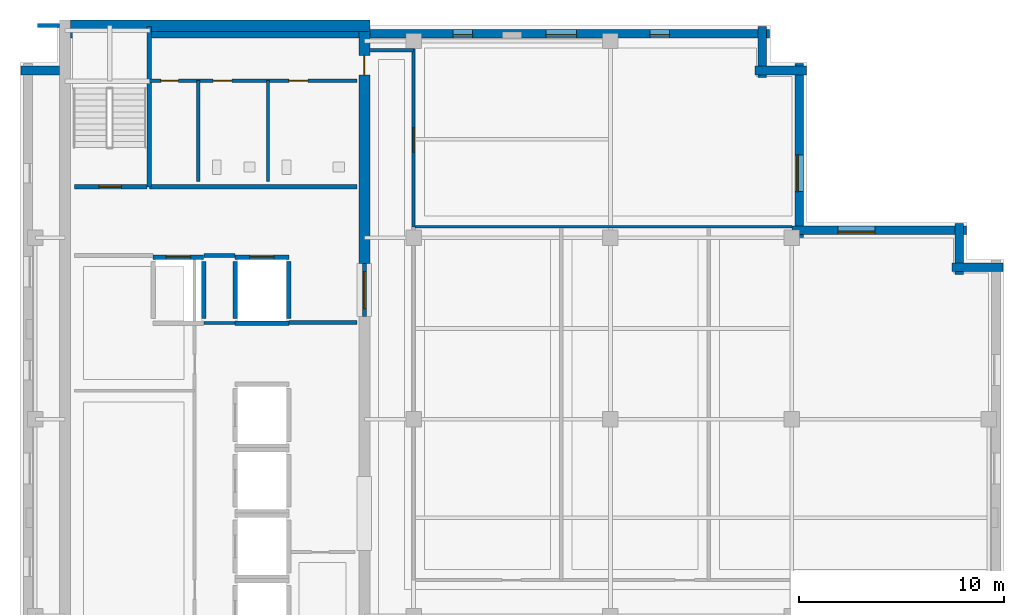
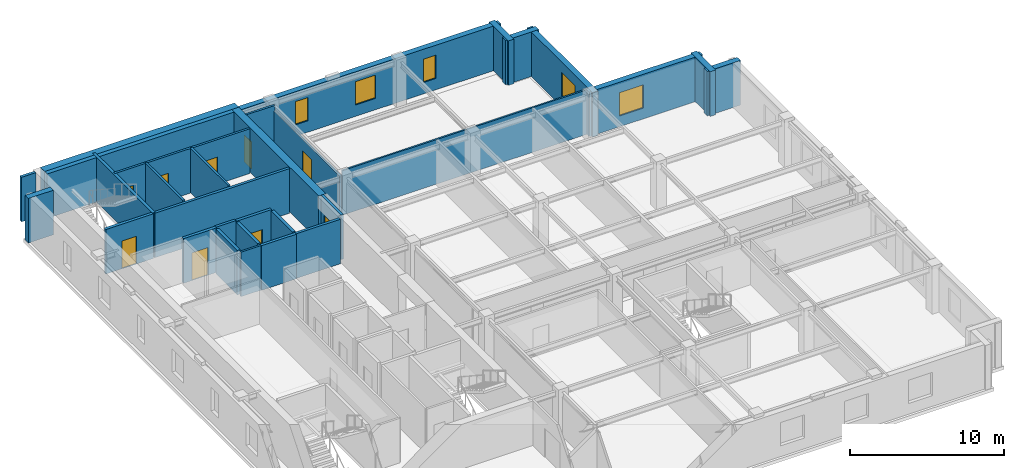
# One storey, part 5 of 10: 30 walls, 9 doors, 5 windows, 14 openings.
"""IFC4 building model written with IfcOpenShell, lengths in metres."""

from ifc_helpers import new_model, si_unit, direction, frame, frame_2d, origin, place, context, subcontext, project, spatial, rectangle, extrude, material, layer, layer_set, type_object, element, fill, save


model = new_model("IFC4")

# Units and contexts
model_context = context("Model", 3, precision=1e-05, world=origin(), true_north=direction((0.0, 1.0)))
body_context = subcontext(model_context, "Body", "Model", "MODEL_VIEW")
ifc_project = project(units=[si_unit("LENGTHUNIT", "METRE"), si_unit("AREAUNIT", "SQUARE_METRE"), si_unit("VOLUMEUNIT", "CUBIC_METRE"), si_unit("PLANEANGLEUNIT", "RADIAN"), si_unit("MASSUNIT", "GRAM", prefix="KILO")], contexts=[model_context])

# Site, building, storey
site_placement = place(None, origin())
site = spatial("IfcSite", under=ifc_project, at=site_placement, CompositionType="ELEMENT")
building_placement = place(site_placement, origin())
building = spatial("IfcBuilding", under=site, at=building_placement, Name="Norrvale University Quadrangle", CompositionType="ELEMENT")
storey_placement = place(building_placement, frame((0.0, 0.0, 265.800048828125)))
storey = spatial("IfcBuildingStorey", under=building, at=storey_placement, Name="L67", CompositionType="ELEMENT", Elevation=265.800048828125)

# Walls
ifc_material_1 = material(Name="Buff Norman Clay Brick Masonry", Category="masonry")
ifc_layer_1 = layer(ifc_material_1, 0.419921875, Name="Buff Norman Clay Brick Masonry")
ifc_layer_set_1 = layer_set([ifc_layer_1], Name="Buff Norman Clay Brick Masonry")
wall_type_1 = type_object("IfcWallType", Name="Wall Buff Brick 420", PredefinedType="SOLIDWALL", material=ifc_layer_set_1)
for number, where, z_axis, x_axis, name in (
    (1, (47.9599609375, 36.2099609375, 0.0), (0.0, 0.0, 1.0), (-1.0, 0.0, 0.0), "Exterior Brick Facade Wall L67-05.1"),
    (2, (45.81005859375, 35.860107421875, 0.0), (0.0, 0.0, 1.0), (0.0, 1.0, 0.0), "Exterior Brick Facade Wall L67-06.1"),
):
    element("IfcWall", number, at=place(storey_placement, frame(where, z_axis=z_axis, x_axis=x_axis)), inside=storey, type_object=wall_type_1, Name=name, PredefinedType="SOLIDWALL", context=body_context, shape_type="SweptSolid", body=[
        extrude(rectangle(XDim=2.5, YDim=0.419921875, at=frame_2d((1.25, 0.0))), origin(), (0.0, 0.0, 1.0), 3.5400390625),
    ])

# Wall, opening, window
wall_1_placement = place(storey_placement, frame((46.159912109375, 38.010009765625, 0.0), z_axis=(0.0, 0.0, 1.0), x_axis=(-1.0, 0.0, 0.0)))
wall_1 = element("IfcWall", 3, at=wall_1_placement, inside=storey, type_object=wall_type_1, Name="Exterior Brick Facade Wall L67-07.1", PredefinedType="SOLIDWALL", context=body_context, shape_type="SweptSolid", body=[
    extrude(rectangle(XDim=8.5, YDim=0.419921875, at=frame_2d((4.25, 0.0))), origin(), (0.0, 0.0, 1.0), 3.5400390625),
])
opening_1_placement = place(wall_1_placement, frame((4.4599609375, 0.0, 0.85009765625)))
opening_1 = element("IfcOpeningElement", 4, at=opening_1_placement, cuts=wall_1, Name="Opening W01", PredefinedType="OPENING", context=body_context, shape_type="SweptSolid", body=[
    extrude(rectangle(XDim=1.800048828125, YDim=1.85009765625, at=frame_2d((0.89990234375, 0.925048828125))), frame((0.0, 0.221923828125, 0.0), z_axis=(0.0, -1.0, 0.0), x_axis=(1.0, 0.0, 0.0)), (0.0, 0.0, 1.0), 0.44384765625),
])
ifc_material_2 = material(Name="Triple Low-E Argon Glazing", Category="glass")
window_type_1 = type_object("IfcWindowType", Name="Window Academic 1800x2300", PartitioningType="DOUBLE_PANEL_VERTICAL", PredefinedType="WINDOW", material=ifc_material_2)
window_1_placement = place(opening_1_placement, origin())
window_1 = element("IfcWindow", 5, at=window_1_placement, inside=storey, type_object=window_type_1, Name="Window Academic 1800x2300 WIN-L67-E07-1-01", OverallHeight=1.85009765625, OverallWidth=1.800048828125, PartitioningType="DOUBLE_PANEL_VERTICAL", PredefinedType="WINDOW", context=body_context, shape_type="SweptSolid", body=[
    extrude(rectangle(XDim=1.800048828125, YDim=1.85009765625, at=frame_2d((0.89990234375, 0.925048828125))), frame((0.0, 0.110107421875, 0.0), z_axis=(0.0, -1.0, 0.0), x_axis=(1.0, 0.0, 0.0)), (0.0, 0.0, 1.0), 0.06005859375),
])
fill(opening_1, window_1)

wall_2_placement = place(storey_placement, frame((38.010009765625, 37.659912109375, 0.0), z_axis=(0.0, 0.0, 1.0), x_axis=(0.0, 1.0, 0.0)))
wall_2 = element("IfcWall", 6, at=wall_2_placement, inside=storey, type_object=wall_type_1, Name="Exterior Brick Facade Wall L67-08.1", PredefinedType="SOLIDWALL", context=body_context, shape_type="SweptSolid", body=[
    extrude(rectangle(XDim=8.5, YDim=0.419921875, at=frame_2d((4.25, 0.0))), origin(), (0.0, 0.0, 1.0), 3.5400390625),
])
opening_2_placement = place(wall_2_placement, frame((2.239990234375, 0.0, 0.85009765625)))
opening_2 = element("IfcOpeningElement", 7, at=opening_2_placement, cuts=wall_2, Name="Opening W01", PredefinedType="OPENING", context=body_context, shape_type="SweptSolid", body=[
    extrude(rectangle(XDim=1.800048828125, YDim=1.85009765625, at=frame_2d((0.89990234375, 0.925048828125))), frame((0.0, 0.221923828125, 0.0), z_axis=(0.0, -1.0, 0.0), x_axis=(1.0, 0.0, 0.0)), (0.0, 0.0, 1.0), 0.44384765625),
])
window_2_placement = place(opening_2_placement, origin())
window_2 = element("IfcWindow", 8, at=window_2_placement, inside=storey, type_object=window_type_1, Name="Window Academic 1800x2300 WIN-L67-E08-1-01", OverallHeight=1.85009765625, OverallWidth=1.800048828125, PartitioningType="DOUBLE_PANEL_VERTICAL", PredefinedType="WINDOW", context=body_context, shape_type="SweptSolid", body=[
    extrude(rectangle(XDim=1.800048828125, YDim=1.85009765625, at=frame_2d((0.89990234375, 0.925048828125))), frame((0.0, 0.110107421875, 0.0), z_axis=(0.0, -1.0, 0.0), x_axis=(1.0, 0.0, 0.0)), (0.0, 0.0, 1.0), 0.06005859375),
])
fill(opening_2, window_2)

# Walls
for number, where, z_axis, x_axis, name in (
    (9, (38.360107421875, 45.81005859375, 0.0), (0.0, 0.0, 1.0), (-1.0, 0.0, 0.0), "Exterior Brick Facade Wall L67-09.1"),
    (10, (36.2099609375, 45.4599609375, 0.0), (0.0, 0.0, 1.0), (0.0, 1.0, 0.0), "Exterior Brick Facade Wall L67-10.1"),
):
    element("IfcWall", number, at=place(storey_placement, frame(where, z_axis=z_axis, x_axis=x_axis)), inside=storey, type_object=wall_type_1, Name=name, PredefinedType="SOLIDWALL", context=body_context, shape_type="SweptSolid", body=[
        extrude(rectangle(XDim=2.5, YDim=0.419921875, at=frame_2d((1.25, 0.0))), origin(), (0.0, 0.0, 1.0), 3.5400390625),
    ])

# Wall, openings, windows
wall_3_placement = place(storey_placement, frame((36.56005859375, 47.610107421875, 0.0), z_axis=(0.0, 0.0, 1.0), x_axis=(-1.0, 0.0, 0.0)))
wall_3 = element("IfcWall", 11, at=wall_3_placement, inside=storey, type_object=wall_type_1, Name="Exterior Brick Facade Wall L67-11.1", PredefinedType="SOLIDWALL", context=body_context, shape_type="SweptSolid", body=[
    extrude(rectangle(XDim=34.0849609375, YDim=0.419921875, at=frame_2d((17.04248046875, 0.0))), origin(), (0.0, 0.0, 1.0), 3.5400390625),
])
opening_3_placement = place(wall_3_placement, frame((4.885009765625, 0.0, 0.89990234375)))
opening_3 = element("IfcOpeningElement", 12, at=opening_3_placement, cuts=wall_3, Name="Opening W04", PredefinedType="OPENING", context=body_context, shape_type="SweptSolid", body=[
    extrude(rectangle(XDim=0.949951171875, YDim=1.85009765625, at=frame_2d((0.47509765625, 0.925048828125))), frame((0.0, 0.221923828125, 0.0), z_axis=(0.0, -1.0, 0.0), x_axis=(1.0, 0.0, 0.0)), (0.0, 0.0, 1.0), 0.44384765625),
])
opening_4_placement = place(wall_3_placement, frame((9.409912109375, 0.0, 0.89990234375)))
opening_4 = element("IfcOpeningElement", 13, at=opening_4_placement, cuts=wall_3, Name="Opening W03", PredefinedType="OPENING", context=body_context, shape_type="SweptSolid", body=[
    extrude(rectangle(XDim=1.5, YDim=1.85009765625, at=frame_2d((0.75, 0.925048828125))), frame((0.0, 0.221923828125, 0.0), z_axis=(0.0, -1.0, 0.0), x_axis=(1.0, 0.0, 0.0)), (0.0, 0.0, 1.0), 0.44384765625),
])
opening_5_placement = place(wall_3_placement, frame((14.485107421875, 0.0, 0.89990234375)))
opening_5 = element("IfcOpeningElement", 14, at=opening_5_placement, cuts=wall_3, Name="Opening W04", PredefinedType="OPENING", context=body_context, shape_type="SweptSolid", body=[
    extrude(rectangle(XDim=0.949951171875, YDim=1.85009765625, at=frame_2d((0.47509765625, 0.925048828125))), frame((0.0, 0.221923828125, 0.0), z_axis=(0.0, -1.0, 0.0), x_axis=(1.0, 0.0, 0.0)), (0.0, 0.0, 1.0), 0.44384765625),
])
window_type_2 = type_object("IfcWindowType", Name="Window Narrow Pier 950x2300", PartitioningType="SINGLE_PANEL", PredefinedType="WINDOW", material=ifc_material_2)
window_3_placement = place(opening_3_placement, origin())
window_3 = element("IfcWindow", 15, at=window_3_placement, inside=storey, type_object=window_type_2, Name="Window Narrow Pier 950x2300 WIN-L67-E11-1-01", OverallHeight=1.85009765625, OverallWidth=0.949951171875, PartitioningType="SINGLE_PANEL", PredefinedType="WINDOW", context=body_context, shape_type="SweptSolid", body=[
    extrude(rectangle(XDim=0.949951171875, YDim=1.85009765625, at=frame_2d((0.47509765625, 0.925048828125))), frame((0.0, 0.110107421875, 0.0), z_axis=(0.0, -1.0, 0.0), x_axis=(1.0, 0.0, 0.0)), (0.0, 0.0, 1.0), 0.06005859375),
])
fill(opening_3, window_3)
window_4_placement = place(opening_5_placement, origin())
window_4 = element("IfcWindow", 16, at=window_4_placement, inside=storey, type_object=window_type_2, Name="Window Narrow Pier 950x2300 WIN-L67-E11-1-03", OverallHeight=1.85009765625, OverallWidth=0.949951171875, PartitioningType="SINGLE_PANEL", PredefinedType="WINDOW", context=body_context, shape_type="SweptSolid", body=[
    extrude(rectangle(XDim=0.949951171875, YDim=1.85009765625, at=frame_2d((0.47509765625, 0.925048828125))), frame((0.0, 0.110107421875, 0.0), z_axis=(0.0, -1.0, 0.0), x_axis=(1.0, 0.0, 0.0)), (0.0, 0.0, 1.0), 0.06005859375),
])
fill(opening_5, window_4)
window_type_3 = type_object("IfcWindowType", Name="Window Studio 1500x2300", PartitioningType="DOUBLE_PANEL_VERTICAL", PredefinedType="WINDOW", material=ifc_material_2)
window_5_placement = place(opening_4_placement, origin())
window_5 = element("IfcWindow", 17, at=window_5_placement, inside=storey, type_object=window_type_3, Name="Window Studio 1500x2300 WIN-L67-E11-1-02", OverallHeight=1.85009765625, OverallWidth=1.5, PartitioningType="DOUBLE_PANEL_VERTICAL", PredefinedType="WINDOW", context=body_context, shape_type="SweptSolid", body=[
    extrude(rectangle(XDim=1.5, YDim=1.85009765625, at=frame_2d((0.75, 0.925048828125))), frame((0.0, 0.110107421875, 0.0), z_axis=(0.0, -1.0, 0.0), x_axis=(1.0, 0.0, 0.0)), (0.0, 0.0, 1.0), 0.06005859375),
])
fill(opening_4, window_5)

# Walls
wall_4_placement = place(storey_placement, frame((1.925048828125, 45.81005859375, 0.0), z_axis=(0.0, 0.0, 1.0), x_axis=(-1.0, 0.0, 0.0)))
element("IfcWall", 18, at=wall_4_placement, inside=storey, type_object=wall_type_1, Name="Exterior Brick Facade Wall L67-13.1", PredefinedType="SOLIDWALL", context=body_context, shape_type="SweptSolid", body=[
    extrude(rectangle(XDim=1.885009765625, YDim=0.419921875, at=frame_2d((0.9423828125, 0.0))), origin(), (0.0, 0.0, 1.0), 3.5400390625),
])
ifc_material_3 = material(Name="Concrete C60/75", Category="concrete")
ifc_layer_2 = layer(ifc_material_3, 0.550048828125, Name="Concrete C60/75")
ifc_layer_set_2 = layer_set([ifc_layer_2], Name="Concrete C60/75")
wall_type_2 = type_object("IfcWallType", Name="Wall Core 550", PredefinedType="SHEAR", material=ifc_layer_set_2)
wall_5_placement = place(storey_placement, frame((2.47509765625, 48.0, 0.0), z_axis=(0.0, 0.0, 1.0), x_axis=(1.0, 0.0, 0.0)))
element("IfcWall", 19, at=wall_5_placement, inside=storey, type_object=wall_type_2, Name="Tower Core Shear Wall L67-N", PredefinedType="SHEAR", context=body_context, shape_type="SweptSolid", body=[
    extrude(rectangle(XDim=14.599853515625, YDim=0.550048828125, at=frame_2d((7.2998046875, 0.0))), origin(), (0.0, 0.0, 1.0), 3.5400390625),
])

# Wall, opening, door
wall_6_placement = place(storey_placement, frame((16.800048828125, 36.39990234375, 0.0), z_axis=(0.0, 0.0, 1.0), x_axis=(0.0, 1.0, 0.0)))
wall_6 = element("IfcWall", 20, at=wall_6_placement, inside=storey, type_object=wall_type_2, Name="Tower Core Shear Wall L67-E3", PredefinedType="SHEAR", context=body_context, shape_type="SweptSolid", body=[
    extrude(rectangle(XDim=11.3251953125, YDim=0.550048828125, at=frame_2d((5.66259765625, 0.0))), origin(), (0.0, 0.0, 1.0), 3.5400390625),
])
opening_6_placement = place(wall_6_placement, frame((9.199951171875, 0.0, 0.0)))
opening_6 = element("IfcOpeningElement", 21, at=opening_6_placement, cuts=wall_6, Name="Opening D07", PredefinedType="OPENING", context=body_context, shape_type="SweptSolid", body=[
    extrude(rectangle(XDim=0.949951171875, YDim=2.14990234375, at=frame_2d((0.47509765625, 1.074951171875))), frame((0.0, 0.287109375, 0.0), z_axis=(0.0, -1.0, 0.0), x_axis=(1.0, 0.0, 0.0)), (0.0, 0.0, 1.0), 0.573974609375),
])
ifc_material_4 = material(Name="Solid-Core Maple Door", Category="wood")
door_type_1 = type_object("IfcDoorType", Name="Door Office 950x2150", OperationType="NOTDEFINED", PredefinedType="DOOR", material=ifc_material_4)
door_1_placement = place(opening_6_placement, origin())
door_1 = element("IfcDoor", 22, at=door_1_placement, inside=storey, type_object=door_type_1, Name="Door Office 950x2150 DR-L67-NECORR", OperationType="SINGLE_SWING_RIGHT", OverallHeight=2.14990234375, OverallWidth=0.949951171875, PredefinedType="DOOR", context=body_context, shape_type="SweptSolid", body=[
    extrude(rectangle(XDim=0.949951171875, YDim=2.14990234375, at=frame_2d((0.47509765625, 1.074951171875))), frame((0.0, 0.02490234375, 0.0), z_axis=(0.0, -1.0, 0.0), x_axis=(1.0, 0.0, 0.0)), (0.0, 0.0, 1.0), 0.050048828125),
])
fill(opening_6, door_1)

# Walls
ifc_material_5 = material(Name="Standard Academic Gypsum Partition")
ifc_layer_3 = layer(ifc_material_5, 0.125, Name="Standard Academic Gypsum Partition")
ifc_layer_set_3 = layer_set([ifc_layer_3], Name="Standard Academic Gypsum Partition")
wall_type_3 = type_object("IfcWallType", Name="Wall Gypsum Academic 125", PredefinedType="PARTITIONING", material=ifc_layer_set_3)
wall_7_placement = place(storey_placement, frame((19.280029296875, 38.179931640625, 0.0), z_axis=(0.0, 0.0, 1.0), x_axis=(1.0, 0.0, 0.0)))
element("IfcWall", 23, at=wall_7_placement, inside=storey, type_object=wall_type_3, Name="Interior Partition WL-L67-ME-N", PredefinedType="PARTITIONING", context=body_context, shape_type="SweptSolid", body=[
    extrude(rectangle(XDim=18.369873046875, YDim=0.125, at=frame_2d((9.18505859375, 0.0))), origin(), (0.0, 0.0, 1.0), 3.5400390625),
])
ifc_material_6 = material(Name="Fire-Rated Gypsum Stud Partition")
ifc_layer_4 = layer(ifc_material_6, 0.14990234375, Name="Fire-Rated Gypsum Stud Partition")
ifc_layer_set_4 = layer_set([ifc_layer_4], Name="Fire-Rated Gypsum Stud Partition")
wall_type_4 = type_object("IfcWallType", Name="Wall Gypsum Corridor 150", PredefinedType="PARTITIONING", material=ifc_layer_set_4)
wall_8_placement = place(storey_placement, frame((8.965087890625, 33.489990234375, 0.0), z_axis=(0.0, 0.0, 1.0), x_axis=(1.0, 0.0, 0.0)))
element("IfcWall", 24, at=wall_8_placement, inside=storey, type_object=wall_type_4, Name="Interior Partition WL-L67-LL3", PredefinedType="PARTITIONING", context=body_context, shape_type="SweptSolid", body=[
    extrude(rectangle(XDim=1.52001953125, YDim=0.14990234375, at=frame_2d((0.760009765625, 0.0))), origin(), (0.0, 0.0, 1.0), 3.5400390625),
])
wall_9_placement = place(storey_placement, frame((17.050048828125, 46.800048828125, 0.0), z_axis=(0.0, 0.0, 1.0), x_axis=(1.0, 0.0, 0.0)))
element("IfcWall", 25, at=wall_9_placement, inside=storey, type_object=wall_type_4, Name="Interior Partition WL-L67-CSP-N", PredefinedType="PARTITIONING", context=body_context, shape_type="SweptSolid", body=[
    extrude(rectangle(XDim=2.14990234375, YDim=0.14990234375, at=frame_2d((1.074951171875, 0.0))), origin(), (0.0, 0.0, 1.0), 3.5400390625),
])

# Wall, opening, door
wall_10_placement = place(storey_placement, frame((19.199951171875, 38.179931640625, 0.0), z_axis=(0.0, 0.0, 1.0), x_axis=(0.0, 1.0, 0.0)))
wall_10 = element("IfcWall", 26, at=wall_10_placement, inside=storey, type_object=wall_type_4, Name="Interior Partition WL-L67-NECW", PredefinedType="PARTITIONING", context=body_context, shape_type="SweptSolid", body=[
    extrude(rectangle(XDim=9.27001953125, YDim=0.14990234375, at=frame_2d((4.635009765625, 0.0))), origin(), (0.0, 0.0, 1.0), 3.123046875),
])
opening_7_placement = place(wall_10_placement, frame((3.64990234375, 0.0, 0.0)))
opening_7 = element("IfcOpeningElement", 27, at=opening_7_placement, cuts=wall_10, Name="Opening D05", PredefinedType="OPENING", context=body_context, shape_type="SweptSolid", body=[
    extrude(rectangle(XDim=1.199951171875, YDim=2.199951171875, at=frame_2d((0.60009765625, 1.10009765625))), frame((0.0, 0.0869140625, 0.0), z_axis=(0.0, -1.0, 0.0), x_axis=(1.0, 0.0, 0.0)), (0.0, 0.0, 1.0), 0.173828125),
])
ifc_material_7 = material(Name="Acoustic Oak Classroom Door", Category="wood")
door_type_2 = type_object("IfcDoorType", Name="Door Classroom 1200x2200", OperationType="NOTDEFINED", PredefinedType="DOOR", material=ifc_material_7)
door_2_placement = place(opening_7_placement, origin())
door_2 = element("IfcDoor", 28, at=door_2_placement, inside=storey, type_object=door_type_2, Name="Door Classroom 1200x2200 DR-L67-NE01", OperationType="SINGLE_SWING_RIGHT", OverallHeight=2.199951171875, OverallWidth=1.199951171875, PredefinedType="DOOR", context=body_context, shape_type="SweptSolid", body=[
    extrude(rectangle(XDim=1.199951171875, YDim=2.199951171875, at=frame_2d((0.60009765625, 1.10009765625))), frame((0.0, 0.02490234375, 0.0), z_axis=(0.0, -1.0, 0.0), x_axis=(1.0, 0.0, 0.0)), (0.0, 0.0, 1.0), 0.050048828125),
])
fill(opening_7, door_2)

# Wall, openings, doors
ifc_material_8 = material(Name="Sanitary Chase Gypsum Partition")
ifc_layer_5 = layer(ifc_material_8, 0.1650390625, Name="Sanitary Chase Gypsum Partition")
ifc_layer_set_5 = layer_set([ifc_layer_5], Name="Sanitary Chase Gypsum Partition")
wall_type_5 = type_object("IfcWallType", Name="Wall Gypsum Sanitary 165", PredefinedType="PLUMBINGWALL", material=ifc_layer_set_5)
wall_11_placement = place(storey_placement, frame((6.320068359375, 45.320068359375, 0.0), z_axis=(0.0, 0.0, 1.0), x_axis=(1.0, 0.0, 0.0)))
wall_11 = element("IfcWall", 29, at=wall_11_placement, inside=storey, type_object=wall_type_5, Name="Interior Partition WL-L67-WCN", PredefinedType="PLUMBINGWALL", context=body_context, shape_type="SweptSolid", body=[
    extrude(rectangle(XDim=10.1298828125, YDim=0.1650390625, at=frame_2d((5.06494140625, 0.0))), origin(), (0.0, 0.0, 1.0), 3.5400390625),
])
opening_8_placement = place(wall_11_placement, frame((0.550048828125, 0.0, 0.0)))
opening_8 = element("IfcOpeningElement", 30, at=opening_8_placement, cuts=wall_11, Name="Opening D10", PredefinedType="OPENING", context=body_context, shape_type="SweptSolid", body=[
    extrude(rectangle(XDim=0.85009765625, YDim=2.10009765625, at=frame_2d((0.425048828125, 1.050048828125))), frame((0.0, 0.094482421875, 0.0), z_axis=(0.0, -1.0, 0.0), x_axis=(1.0, 0.0, 0.0)), (0.0, 0.0, 1.0), 0.18896484375),
])
opening_9_placement = place(wall_11_placement, frame((3.10009765625, 0.0, 0.0)))
opening_9 = element("IfcOpeningElement", 31, at=opening_9_placement, cuts=wall_11, Name="Opening D08", PredefinedType="OPENING", context=body_context, shape_type="SweptSolid", body=[
    extrude(rectangle(XDim=0.919921875, YDim=2.14990234375, at=frame_2d((0.4599609375, 1.074951171875))), frame((0.0, 0.094482421875, 0.0), z_axis=(0.0, -1.0, 0.0), x_axis=(1.0, 0.0, 0.0)), (0.0, 0.0, 1.0), 0.18896484375),
])
opening_10_placement = place(wall_11_placement, frame((6.800048828125, 0.0, 0.0)))
opening_10 = element("IfcOpeningElement", 32, at=opening_10_placement, cuts=wall_11, Name="Opening D08", PredefinedType="OPENING", context=body_context, shape_type="SweptSolid", body=[
    extrude(rectangle(XDim=0.919921875, YDim=2.14990234375, at=frame_2d((0.4599609375, 1.074951171875))), frame((0.0, 0.094482421875, 0.0), z_axis=(0.0, -1.0, 0.0), x_axis=(1.0, 0.0, 0.0)), (0.0, 0.0, 1.0), 0.18896484375),
])
ifc_material_9 = material(Name="Hollow Steel 350W Riser Fire Door", Category="steel")
door_type_3 = type_object("IfcDoorType", Name="Door Riser 850x2100", OperationType="NOTDEFINED", PredefinedType="DOOR", material=ifc_material_9)
door_3_placement = place(opening_8_placement, origin())
door_3 = element("IfcDoor", 33, at=door_3_placement, inside=storey, type_object=door_type_3, Name="Door Riser 850x2100 DR-L67-WC1", OperationType="SINGLE_SWING_LEFT", OverallHeight=2.10009765625, OverallWidth=0.85009765625, PredefinedType="DOOR", context=body_context, shape_type="SweptSolid", body=[
    extrude(rectangle(XDim=0.85009765625, YDim=2.10009765625, at=frame_2d((0.425048828125, 1.050048828125))), frame((0.0, 0.02490234375, 0.0), z_axis=(0.0, -1.0, 0.0), x_axis=(1.0, 0.0, 0.0)), (0.0, 0.0, 1.0), 0.050048828125),
])
fill(opening_8, door_3)
ifc_material_10 = material(Name="Laminate Washroom Door", Category="wood")
door_type_4 = type_object("IfcDoorType", Name="Door Washroom 920x2150", OperationType="NOTDEFINED", PredefinedType="DOOR", material=ifc_material_10)
door_4_placement = place(opening_9_placement, origin())
door_4 = element("IfcDoor", 34, at=door_4_placement, inside=storey, type_object=door_type_4, Name="Door Washroom 920x2150 DR-L67-WC2", OperationType="SINGLE_SWING_RIGHT", OverallHeight=2.14990234375, OverallWidth=0.919921875, PredefinedType="DOOR", context=body_context, shape_type="SweptSolid", body=[
    extrude(rectangle(XDim=0.919921875, YDim=2.14990234375, at=frame_2d((0.4599609375, 1.074951171875))), frame((0.0, 0.02490234375, 0.0), z_axis=(0.0, -1.0, 0.0), x_axis=(1.0, 0.0, 0.0)), (0.0, 0.0, 1.0), 0.050048828125),
])
fill(opening_9, door_4)
door_5_placement = place(opening_10_placement, origin())
door_5 = element("IfcDoor", 35, at=door_5_placement, inside=storey, type_object=door_type_4, Name="Door Washroom 920x2150 DR-L67-WC3", OperationType="SINGLE_SWING_LEFT", OverallHeight=2.14990234375, OverallWidth=0.919921875, PredefinedType="DOOR", context=body_context, shape_type="SweptSolid", body=[
    extrude(rectangle(XDim=0.919921875, YDim=2.14990234375, at=frame_2d((0.4599609375, 1.074951171875))), frame((0.0, 0.02490234375, 0.0), z_axis=(0.0, -1.0, 0.0), x_axis=(1.0, 0.0, 0.0)), (0.0, 0.0, 1.0), 0.050048828125),
])
fill(opening_10, door_5)

# Walls
for number, where, z_axis, x_axis, name in (
    (36, (8.699951171875, 40.39990234375, 0.0), (0.0, 0.0, 1.0), (0.0, 1.0, 0.0), "Interior Partition WL-L67-WCM1"),
    (37, (12.10009765625, 40.39990234375, 0.0), (0.0, 0.0, 1.0), (0.0, 1.0, 0.0), "Interior Partition WL-L67-WCM2"),
):
    element("IfcWall", number, at=place(storey_placement, frame(where, z_axis=z_axis, x_axis=x_axis)), inside=storey, type_object=wall_type_5, Name=name, PredefinedType="PLUMBINGWALL", context=body_context, shape_type="SweptSolid", body=[
        extrude(rectangle(XDim=4.920166015625, YDim=0.1650390625, at=frame_2d((2.4599609375, 0.0))), origin(), (0.0, 0.0, 1.0), 3.5400390625),
    ])
ifc_material_11 = material(Name="Concrete Blockwork 20 MPa Rated Wall", Category="masonry")
ifc_layer_6 = layer(ifc_material_11, 0.199951171875, Name="Concrete Blockwork 20 MPa Rated Wall")
ifc_layer_set_6 = layer_set([ifc_layer_6], Name="Concrete Blockwork 20 MPa Rated Wall")
wall_type_6 = type_object("IfcWallType", Name="Wall Lobby 200", PredefinedType="SOLIDWALL", material=ifc_layer_set_6)
wall_12_placement = place(storey_placement, frame((8.969970703125, 36.780029296875, 0.0), z_axis=(0.0, 0.0, 1.0), x_axis=(1.0, 0.0, 0.0)))
element("IfcWall", 38, at=wall_12_placement, inside=storey, type_object=wall_type_6, Name="Interior Partition WL-L67-FF2", PredefinedType="SOLIDWALL", context=body_context, shape_type="SweptSolid", body=[
    extrude(rectangle(XDim=1.510009765625, YDim=0.199951171875, at=frame_2d((0.7548828125, 0.0))), origin(), (0.0, 0.0, 1.0), 3.5400390625),
])
wall_13_placement = place(storey_placement, frame((13.1201171875, 33.52001953125, 0.0), z_axis=(0.0, 0.0, 1.0), x_axis=(1.0, 0.0, 0.0)))
element("IfcWall", 39, at=wall_13_placement, inside=storey, type_object=wall_type_6, Name="Interior Partition WL-L67-FF3", PredefinedType="SOLIDWALL", context=body_context, shape_type="SweptSolid", body=[
    extrude(rectangle(XDim=3.329833984375, YDim=0.199951171875, at=frame_2d((1.6650390625, 0.0))), origin(), (0.0, 0.0, 1.0), 3.5400390625),
])
wall_14_placement = place(storey_placement, frame((6.320068359375, 40.139892578125, 0.0), z_axis=(0.0, 0.0, 1.0), x_axis=(1.0, 0.0, 0.0)))
element("IfcWall", 40, at=wall_14_placement, inside=storey, type_object=wall_type_6, Name="Interior Partition WL-L67-FF4", PredefinedType="SOLIDWALL", context=body_context, shape_type="SweptSolid", body=[
    extrude(rectangle(XDim=10.1298828125, YDim=0.199951171875, at=frame_2d((5.06494140625, 0.0))), origin(), (0.0, 0.0, 1.0), 3.5400390625),
])

# Wall, opening, door
wall_15_placement = place(storey_placement, frame((16.800048828125, 33.800048828125, 0.0), z_axis=(0.0, 0.0, 1.0), x_axis=(0.0, 1.0, 0.0)))
wall_15 = element("IfcWall", 41, at=wall_15_placement, inside=storey, type_object=wall_type_6, Name="Interior Partition WL-L67-FFP", PredefinedType="SOLIDWALL", context=body_context, shape_type="SweptSolid", body=[
    extrude(rectangle(XDim=2.599853515625, YDim=0.199951171875, at=frame_2d((1.2998046875, 0.0))), origin(), (0.0, 0.0, 1.0), 3.5400390625),
])
opening_11_placement = place(wall_15_placement, frame((0.39990234375, 0.0, 0.0)))
opening_11 = element("IfcOpeningElement", 42, at=opening_11_placement, cuts=wall_15, Name="Opening D03", PredefinedType="OPENING", context=body_context, shape_type="SweptSolid", body=[
    extrude(rectangle(XDim=1.800048828125, YDim=2.199951171875, at=frame_2d((0.89990234375, 1.10009765625))), frame((0.0, 0.112060546875, 0.0), z_axis=(0.0, -1.0, 0.0), x_axis=(1.0, 0.0, 0.0)), (0.0, 0.0, 1.0), 0.223876953125),
])
ifc_material_12 = material(Name="Hollow Steel 350W Fire Door", Category="steel")
door_type_5 = type_object("IfcDoorType", Name="Door Fire Lobby 1800x2200", OperationType="DOUBLE_DOOR_SINGLE_SWING", PredefinedType="DOOR", material=ifc_material_12)
door_6_placement = place(opening_11_placement, origin())
door_6 = element("IfcDoor", 43, at=door_6_placement, inside=storey, type_object=door_type_5, Name="Door Fire Lobby 1800x2200 DR-L67-FFP", OperationType="DOUBLE_DOOR_SINGLE_SWING", OverallHeight=2.199951171875, OverallWidth=1.800048828125, PredefinedType="DOOR", context=body_context, shape_type="SweptSolid", body=[
    extrude(rectangle(XDim=1.800048828125, YDim=2.199951171875, at=frame_2d((0.89990234375, 1.10009765625))), frame((0.0, 0.02490234375, 0.0), z_axis=(0.0, -1.0, 0.0), x_axis=(1.0, 0.0, 0.0)), (0.0, 0.0, 1.0), 0.050048828125),
])
fill(opening_11, door_6)

# Wall
wall_16_placement = place(storey_placement, frame((0.85009765625, 48.0, 0.0), z_axis=(0.0, 0.0, 1.0), x_axis=(1.0, 0.0, 0.0)))
element("IfcWall", 44, at=wall_16_placement, inside=storey, type_object=wall_type_6, Name="Interior Partition WL-L67-CWRET-N", PredefinedType="SOLIDWALL", context=body_context, shape_type="SweptSolid", body=[
    extrude(rectangle(XDim=1.06982421875, YDim=0.199951171875, at=frame_2d((0.534912109375, 0.0))), origin(), (0.0, 0.0, 1.0), 3.5400390625),
])

# Wall, opening, door
ifc_material_13 = material(Name="Concrete Blockwork 20 MPa Fire Shaft", Category="masonry")
ifc_layer_7 = layer(ifc_material_13, 0.219970703125, Name="Concrete Blockwork 20 MPa Fire Shaft")
ifc_layer_set_7 = layer_set([ifc_layer_7], Name="Concrete Blockwork 20 MPa Fire Shaft")
wall_type_7 = type_object("IfcWallType", Name="Wall Shaft 220", PredefinedType="SOLIDWALL", material=ifc_layer_set_7)
wall_17_placement = place(storey_placement, frame((2.64990234375, 40.139892578125, 0.0), z_axis=(0.0, 0.0, 1.0), x_axis=(1.0, 0.0, 0.0)))
wall_17 = element("IfcWall", 45, at=wall_17_placement, inside=storey, type_object=wall_type_7, Name="Stair ST-02 South Shaft Wall L67", PredefinedType="SOLIDWALL", context=body_context, shape_type="SweptSolid", body=[
    extrude(rectangle(XDim=3.550048828125, YDim=0.219970703125, at=frame_2d((1.77490234375, 0.0))), origin(), (0.0, 0.0, 1.0), 3.5400390625),
])
opening_12_placement = place(wall_17_placement, frame((1.199951171875, 0.0, 0.0)))
opening_12 = element("IfcOpeningElement", 46, at=opening_12_placement, cuts=wall_17, Name="Opening D02", PredefinedType="OPENING", context=body_context, shape_type="SweptSolid", body=[
    extrude(rectangle(XDim=1.10009765625, YDim=2.199951171875, at=frame_2d((0.550048828125, 1.10009765625))), frame((0.0, 0.1220703125, 0.0), z_axis=(0.0, -1.0, 0.0), x_axis=(1.0, 0.0, 0.0)), (0.0, 0.0, 1.0), 0.243896484375),
])
door_type_6 = type_object("IfcDoorType", Name="Door Stair Exit 1100x2200", OperationType="NOTDEFINED", PredefinedType="DOOR", material=ifc_material_12)
door_7_placement = place(opening_12_placement, origin())
door_7 = element("IfcDoor", 47, at=door_7_placement, inside=storey, type_object=door_type_6, Name="Door Stair Exit 1100x2200 DR-L67-ST02", OperationType="SINGLE_SWING_LEFT", OverallHeight=2.199951171875, OverallWidth=1.10009765625, PredefinedType="DOOR", context=body_context, shape_type="SweptSolid", body=[
    extrude(rectangle(XDim=1.10009765625, YDim=2.199951171875, at=frame_2d((0.550048828125, 1.10009765625))), frame((0.0, 0.02490234375, 0.0), z_axis=(0.0, -1.0, 0.0), x_axis=(1.0, 0.0, 0.0)), (0.0, 0.0, 1.0), 0.050048828125),
])
fill(opening_12, door_7)

# Walls
wall_18_placement = place(storey_placement, frame((6.31005859375, 40.139892578125, 0.0), z_axis=(0.0, 0.0, 1.0), x_axis=(0.0, 1.0, 0.0)))
element("IfcWall", 48, at=wall_18_placement, inside=storey, type_object=wall_type_7, Name="Stair ST-02 East Shaft Wall L67", PredefinedType="SOLIDWALL", context=body_context, shape_type="SweptSolid", body=[
    extrude(rectangle(XDim=7.81005859375, YDim=0.219970703125, at=frame_2d((3.905029296875, 0.0))), origin(), (0.0, 0.0, 1.0), 3.5400390625),
])
wall_19_placement = place(storey_placement, frame((8.9599609375, 33.7099609375, 0.0), z_axis=(0.0, 0.0, 1.0), x_axis=(0.0, 1.0, 0.0)))
element("IfcWall", 49, at=wall_19_placement, inside=storey, type_object=wall_type_7, Name="Hoistway FFL-01 East Wall L67", PredefinedType="SOLIDWALL", context=body_context, shape_type="SweptSolid", body=[
    extrude(rectangle(XDim=2.780029296875, YDim=0.219970703125, at=frame_2d((1.39013671875, 0.0))), origin(), (0.0, 0.0, 1.0), 3.5400390625),
])

# Wall, opening, door
wall_20_placement = place(storey_placement, frame((6.489990234375, 36.7099609375, 0.0), z_axis=(0.0, 0.0, 1.0), x_axis=(1.0, 0.0, 0.0)))
wall_20 = element("IfcWall", 50, at=wall_20_placement, inside=storey, type_object=wall_type_7, Name="Hoistway FFL-01 North Wall L67", PredefinedType="SOLIDWALL", context=body_context, shape_type="SweptSolid", body=[
    extrude(rectangle(XDim=2.469970703125, YDim=0.219970703125, at=frame_2d((1.23486328125, 0.0))), origin(), (0.0, 0.0, 1.0), 3.5400390625),
])
opening_13_placement = place(wall_20_placement, frame((0.635009765625, 0.0, 0.0)))
opening_13 = element("IfcOpeningElement", 51, at=opening_13_placement, cuts=wall_20, Name="Opening LD2", PredefinedType="OPENING", context=body_context, shape_type="SweptSolid", body=[
    extrude(rectangle(XDim=1.199951171875, YDim=2.199951171875, at=frame_2d((0.60009765625, 1.10009765625))), frame((0.0, 0.1220703125, 0.0), z_axis=(0.0, -1.0, 0.0), x_axis=(1.0, 0.0, 0.0)), (0.0, 0.0, 1.0), 0.243896484375),
])
ifc_material_14 = material(Name="Stainless Steel 316L Firefighter Lift Door", Category="steel")
door_type_7 = type_object("IfcDoorType", Name="Door Fire Lift 1200x2200", OperationType="DOUBLE_DOOR_SLIDING", PredefinedType="DOOR", material=ifc_material_14)
door_8_placement = place(opening_13_placement, origin())
door_8 = element("IfcDoor", 52, at=door_8_placement, inside=storey, type_object=door_type_7, Name="Elevator Landing Door DR-L67-FFL-01", OperationType="DOUBLE_DOOR_SLIDING", OverallHeight=2.199951171875, OverallWidth=1.199951171875, PredefinedType="DOOR", context=body_context, shape_type="SweptSolid", body=[
    extrude(rectangle(XDim=1.199951171875, YDim=2.199951171875, at=frame_2d((0.60009765625, 1.10009765625))), frame((0.0, 0.02490234375, 0.0), z_axis=(0.0, -1.0, 0.0), x_axis=(1.0, 0.0, 0.0)), (0.0, 0.0, 1.0), 0.050048828125),
])
fill(opening_13, door_8)

# Walls
for number, where, z_axis, x_axis, name in (
    (53, (10.489990234375, 33.7099609375, 0.0), (0.0, 0.0, 1.0), (0.0, 1.0, 0.0), "Hoistway FFL-02 West Wall L67"),
    (54, (13.110107421875, 33.7099609375, 0.0), (0.0, 0.0, 1.0), (0.0, 1.0, 0.0), "Hoistway FFL-02 East Wall L67"),
):
    element("IfcWall", number, at=place(storey_placement, frame(where, z_axis=z_axis, x_axis=x_axis)), inside=storey, type_object=wall_type_7, Name=name, PredefinedType="SOLIDWALL", context=body_context, shape_type="SweptSolid", body=[
        extrude(rectangle(XDim=2.780029296875, YDim=0.219970703125, at=frame_2d((1.39013671875, 0.0))), origin(), (0.0, 0.0, 1.0), 3.5400390625),
    ])
wall_21_placement = place(storey_placement, frame((10.489990234375, 33.489990234375, 0.0), z_axis=(0.0, 0.0, 1.0), x_axis=(1.0, 0.0, 0.0)))
element("IfcWall", 55, at=wall_21_placement, inside=storey, type_object=wall_type_7, Name="Hoistway FFL-02 South Wall L67", PredefinedType="SOLIDWALL", context=body_context, shape_type="SweptSolid", body=[
    extrude(rectangle(XDim=2.6201171875, YDim=0.219970703125, at=frame_2d((1.31005859375, 0.0))), origin(), (0.0, 0.0, 1.0), 3.5400390625),
])

# Wall, opening, door
wall_22_placement = place(storey_placement, frame((10.489990234375, 36.7099609375, 0.0), z_axis=(0.0, 0.0, 1.0), x_axis=(1.0, 0.0, 0.0)))
wall_22 = element("IfcWall", 56, at=wall_22_placement, inside=storey, type_object=wall_type_7, Name="Hoistway FFL-02 North Wall L67", PredefinedType="SOLIDWALL", context=body_context, shape_type="SweptSolid", body=[
    extrude(rectangle(XDim=2.6201171875, YDim=0.219970703125, at=frame_2d((1.31005859375, 0.0))), origin(), (0.0, 0.0, 1.0), 3.5400390625),
])
opening_14_placement = place(wall_22_placement, frame((0.7099609375, 0.0, 0.0)))
opening_14 = element("IfcOpeningElement", 57, at=opening_14_placement, cuts=wall_22, Name="Opening LD2", PredefinedType="OPENING", context=body_context, shape_type="SweptSolid", body=[
    extrude(rectangle(XDim=1.199951171875, YDim=2.199951171875, at=frame_2d((0.60009765625, 1.10009765625))), frame((0.0, 0.1220703125, 0.0), z_axis=(0.0, -1.0, 0.0), x_axis=(1.0, 0.0, 0.0)), (0.0, 0.0, 1.0), 0.243896484375),
])
door_9_placement = place(opening_14_placement, origin())
door_9 = element("IfcDoor", 58, at=door_9_placement, inside=storey, type_object=door_type_7, Name="Elevator Landing Door DR-L67-FFL-02", OperationType="DOUBLE_DOOR_SLIDING", OverallHeight=2.199951171875, OverallWidth=1.199951171875, PredefinedType="DOOR", context=body_context, shape_type="SweptSolid", body=[
    extrude(rectangle(XDim=1.199951171875, YDim=2.199951171875, at=frame_2d((0.60009765625, 1.10009765625))), frame((0.0, 0.02490234375, 0.0), z_axis=(0.0, -1.0, 0.0), x_axis=(1.0, 0.0, 0.0)), (0.0, 0.0, 1.0), 0.050048828125),
])
fill(opening_14, door_9)

save(model, "model.ifc")
